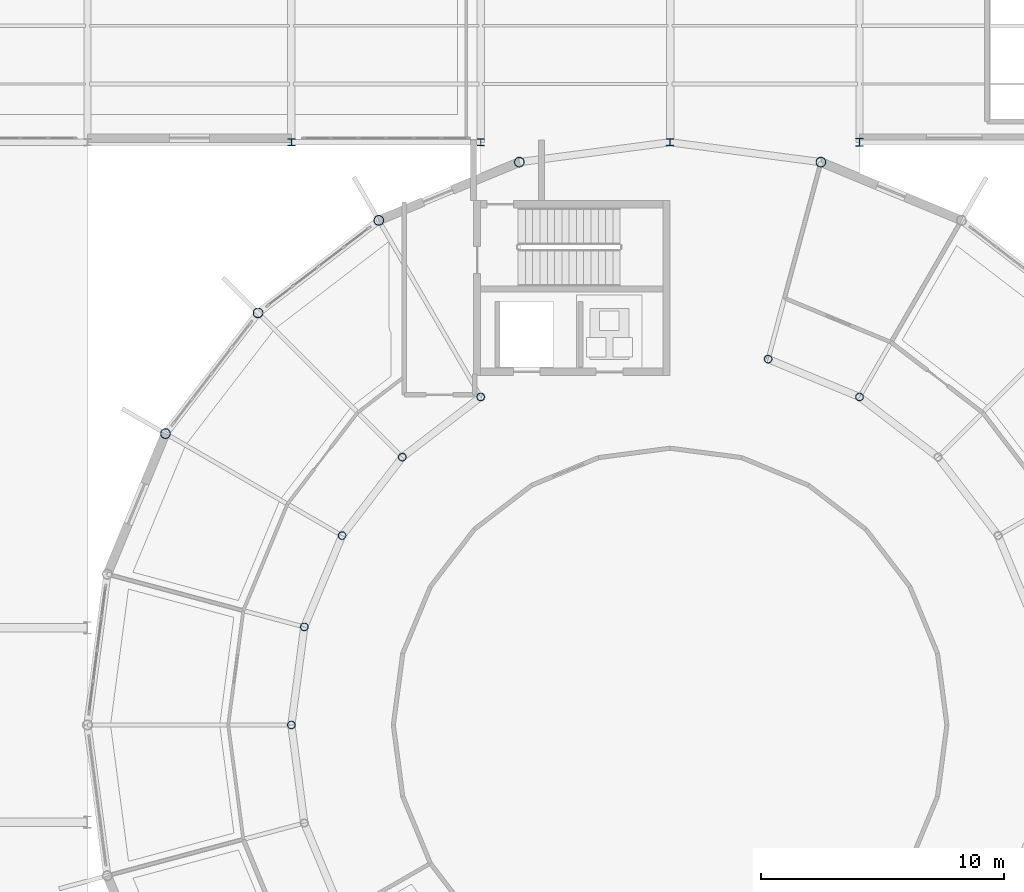
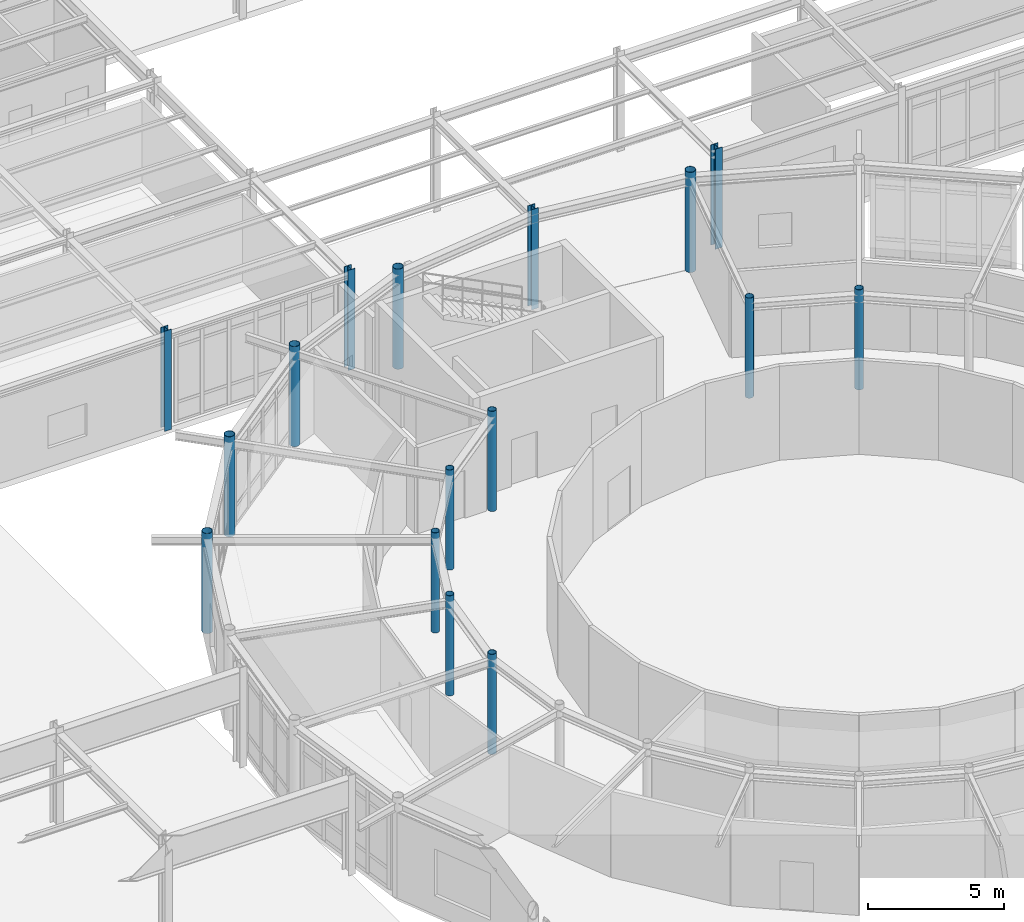
# One storey, part 15 of 101: 16 columns.
"""IFC4 building model written with IfcOpenShell, lengths in metres."""

from ifc_helpers import new_model, si_unit, derived_unit, direction, frame, origin, origin_2d, place, context, subcontext, project, spatial, hollow_circle, i_section, extrude, material, material_profile, profile_set, type_object, element, save


model = new_model("IFC4")

# Units and contexts
model_context = context("Model", 3, precision=1e-05, world=origin(), true_north=direction((0.0, 1.0)))
body_context = subcontext(model_context, "Body", "Model", "MODEL_VIEW")
ifc_project = project(units=[si_unit("LENGTHUNIT", "METRE"), si_unit("AREAUNIT", "SQUARE_METRE"), si_unit("VOLUMEUNIT", "CUBIC_METRE"), si_unit("PLANEANGLEUNIT", "RADIAN"), si_unit("MASSUNIT", "GRAM", prefix="KILO"), derived_unit("THERMALTRANSMITTANCEUNIT", [(si_unit("POWERUNIT", "WATT"), 1), (si_unit("AREAUNIT", "SQUARE_METRE"), -1), (si_unit("THERMODYNAMICTEMPERATUREUNIT", "KELVIN"), -1)])], contexts=[model_context])

# Site, building, storey
site_placement = place(None, origin())
site = spatial("IfcSite", under=ifc_project, at=site_placement, CompositionType="ELEMENT")
building_placement = place(site_placement, origin())
building = spatial("IfcBuilding", under=site, at=building_placement, Name="Yasenodar Specialist Clinic", CompositionType="ELEMENT")
storey_placement = place(building_placement, origin())
storey = spatial("IfcBuildingStorey", under=building, at=storey_placement, Name="L00", CompositionType="ELEMENT", Elevation=0.0)

# Columns
ifc_material = material(Name="Steel S355", Category="steel")
ifc_material_profile_1 = material_profile(ifc_material, hollow_circle(Radius=0.161865234375, WallThickness=0.01611328125, at=origin_2d()), Name="CHS 323.9x16")
ifc_profile_set_1 = profile_set([ifc_material_profile_1], Name="Steel S355")
column_type_1 = type_object("IfcColumnType", Name="COL-ST-CHS324", PredefinedType="COLUMN", material=ifc_profile_set_1)
for number, where, z_axis, x_axis, name in (
    (1, (88.800048828125, 72.31005859375, 0.0), (0.0, 0.0, 1.0), (1.0, 0.0, 0.0), "L00 Drum V1 Inner Column 05"),
    (2, (85.03759765625, 73.868408203125, 0.0), (0.0, 0.0, 1.0), (1.0, 0.0, 0.0), "L00 Drum V1 Inner Column 06"),
    (3, (73.199951171875, 72.31005859375, 0.0), (0.0, 0.0, 1.0), (1.0, 0.0, 0.0), "L00 Drum V1 Inner Column 09"),
    (4, (69.968994140625, 69.830810546875, 0.0), (0.0, 0.0, 1.0), (1.0, 0.0, 0.0), "L00 Drum V1 Inner Column 10"),
    (5, (67.489990234375, 66.60009765625, 0.0), (0.0, 0.0, 1.0), (1.0, 0.0, 0.0), "L00 Drum V1 Inner Column 11"),
    (6, (65.931640625, 62.837646484375, 0.0), (0.0, 0.0, 1.0), (1.0, 0.0, 0.0), "L00 Drum V1 Inner Column 12"),
    (7, (65.39990234375, 58.800048828125, 0.0), (0.0, 0.0, 1.0), (1.0, 0.0, 0.0), "L00 Drum V1 Inner Column 13"),
):
    element("IfcColumn", number, at=place(storey_placement, frame(where, z_axis=z_axis, x_axis=x_axis)), inside=storey, type_object=column_type_1, Name=name, PredefinedType="COLUMN", context=body_context, shape_type="SweptSolid", body=[
        extrude(hollow_circle(Radius=0.161865234375, WallThickness=0.01611328125, at=origin_2d()), origin(), (0.0, 0.0, 1.0), 4.5),
    ])
ifc_material_profile_2 = material_profile(ifc_material, hollow_circle(Radius=0.203125, WallThickness=0.01611328125, at=origin_2d()), Name="CHS 406.4x16")
ifc_profile_set_2 = profile_set([ifc_material_profile_2], Name="Steel S355")
column_type_2 = type_object("IfcColumnType", Name="COL-ST-CHS406", PredefinedType="COLUMN", material=ifc_profile_set_2)
for number, where, z_axis, x_axis, name in (
    (8, (87.211669921875, 81.982177734375, 0.0), (0.0, 0.0, 1.0), (1.0, 0.0, 0.0), "L00 Drum V1 Outer Column 06"),
    (9, (74.788330078125, 81.982177734375, 0.0), (0.0, 0.0, 1.0), (1.0, 0.0, 0.0), "L00 Drum V1 Outer Column 08"),
    (10, (69.0, 79.584716796875, 0.0), (0.0, 0.0, 1.0), (1.0, 0.0, 0.0), "L00 Drum V1 Outer Column 09"),
    (11, (64.029296875, 75.7705078125, 0.0), (0.0, 0.0, 1.0), (1.0, 0.0, 0.0), "L00 Drum V1 Outer Column 10"),
    (12, (60.21533203125, 70.800048828125, 0.0), (0.0, 0.0, 1.0), (1.0, 0.0, 0.0), "L00 Drum V1 Outer Column 11"),
):
    element("IfcColumn", number, at=place(storey_placement, frame(where, z_axis=z_axis, x_axis=x_axis)), inside=storey, type_object=column_type_2, Name=name, PredefinedType="COLUMN", context=body_context, shape_type="SweptSolid", body=[
        extrude(hollow_circle(Radius=0.203125, WallThickness=0.01611328125, at=origin_2d()), origin(), (0.0, 0.0, 1.0), 4.5),
    ])
ifc_material_profile_3 = material_profile(ifc_material, i_section(OverallWidth=0.300048828125, OverallDepth=0.300048828125, WebThickness=0.010986328125, FlangeThickness=0.01904296875, FilletRadius=0.027099609375, at=origin_2d()), Name="HEB 300")
ifc_profile_set_3 = profile_set([ifc_material_profile_3], Name="Steel S355")
column_type_3 = type_object("IfcColumnType", Name="COL-ST-HEB300", PredefinedType="COLUMN", material=ifc_profile_set_3)
for number, where, z_axis, x_axis, name in (
    (13, (65.39990234375, 82.800048828125, 0.0), (0.0, 0.0, 1.0), (1.0, 0.0, 0.0), "L00 Column V5-093"),
    (14, (73.199951171875, 82.800048828125, 0.0), (0.0, 0.0, 1.0), (1.0, 0.0, 0.0), "L00 Column V5-098"),
    (15, (81.0, 82.800048828125, 0.0), (0.0, 0.0, 1.0), (1.0, 0.0, 0.0), "L00 Column V5-103"),
):
    element("IfcColumn", number, at=place(storey_placement, frame(where, z_axis=z_axis, x_axis=x_axis)), inside=storey, type_object=column_type_3, Name=name, PredefinedType="COLUMN", context=body_context, shape_type="SweptSolid", body=[
        extrude(i_section(OverallWidth=0.300048828125, OverallDepth=0.300048828125, WebThickness=0.010986328125, FlangeThickness=0.01904296875, FilletRadius=0.027099609375, at=origin_2d()), origin(), (0.0, 0.0, 1.0), 4.5),
    ])
ifc_material_profile_4 = material_profile(ifc_material, i_section(OverallWidth=0.300048828125, OverallDepth=0.340087890625, WebThickness=0.011962890625, FlangeThickness=0.021484375, FilletRadius=0.027099609375, at=origin_2d()), Name="HEB 340")
ifc_profile_set_4 = profile_set([ifc_material_profile_4], Name="Steel S355")
column_type_4 = type_object("IfcColumnType", Name="COL-ST-HEB340", PredefinedType="COLUMN", material=ifc_profile_set_4)
column_placement = place(storey_placement, frame((88.800048828125, 82.800048828125, 0.0), z_axis=(0.0, 0.0, 1.0), x_axis=(1.0, 0.0, 0.0)))
element("IfcColumn", 16, at=column_placement, inside=storey, type_object=column_type_4, Name="L00 Column V5-107", PredefinedType="COLUMN", context=body_context, shape_type="SweptSolid", body=[
    extrude(i_section(OverallWidth=0.300048828125, OverallDepth=0.340087890625, WebThickness=0.011962890625, FlangeThickness=0.021484375, FilletRadius=0.027099609375, at=origin_2d()), origin(), (0.0, 0.0, 1.0), 4.5),
])

save(model, "model.ifc")
